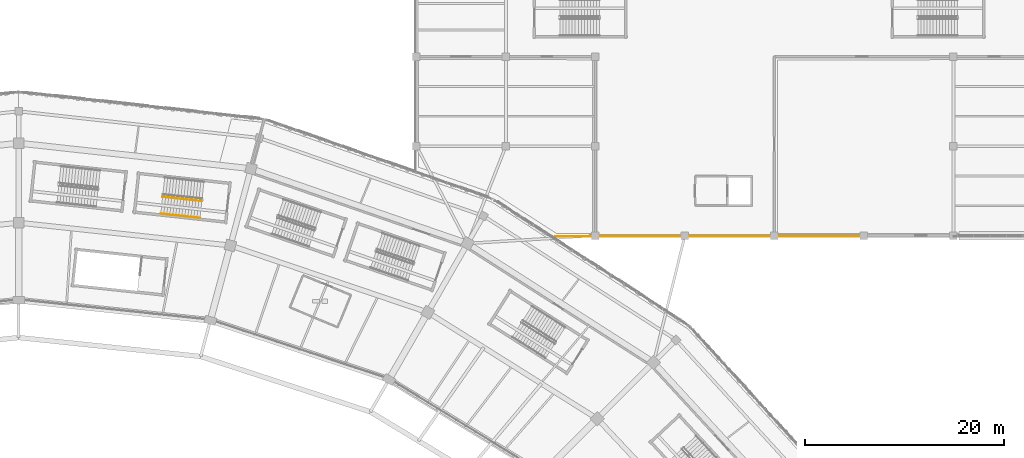
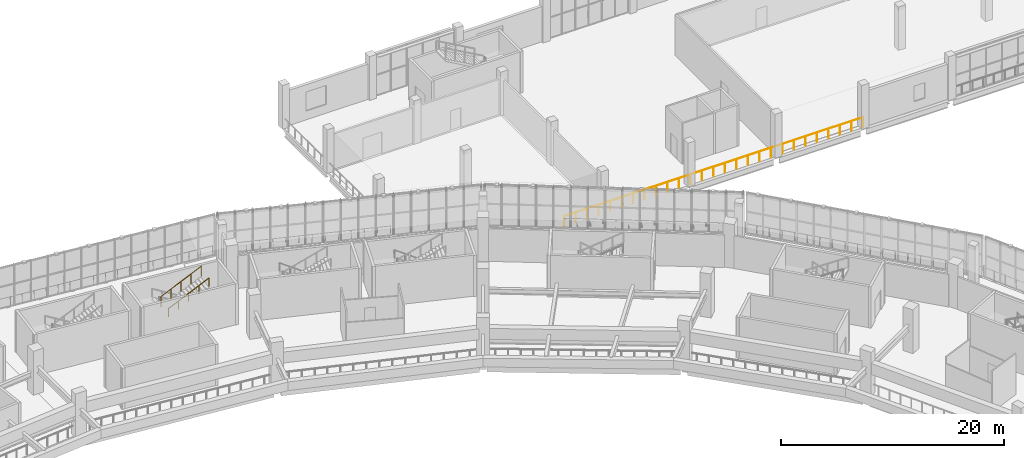
# One storey, part 174 of 179: 3 railings.
"""IFC4 building model written with IfcOpenShell, lengths in metres."""

from ifc_helpers import new_model, si_unit, direction, frame, origin, origin_2d, place, context, subcontext, project, spatial, circle, extrude, material, type_object, element, save


model = new_model("IFC4")

# Units and contexts
model_context = context("Model", 3, precision=1e-05, world=origin(), true_north=direction((0.0, 1.0)))
body_context = subcontext(model_context, "Body", "Model", "MODEL_VIEW")
ifc_project = project(units=[si_unit("LENGTHUNIT", "METRE"), si_unit("AREAUNIT", "SQUARE_METRE"), si_unit("VOLUMEUNIT", "CUBIC_METRE"), si_unit("PLANEANGLEUNIT", "RADIAN"), si_unit("MASSUNIT", "GRAM", prefix="KILO")], contexts=[model_context])

# Site, building, storey
site_placement = place(None, origin())
site = spatial("IfcSite", under=ifc_project, at=site_placement, CompositionType="ELEMENT")
building_placement = place(site_placement, origin())
building = spatial("IfcBuilding", under=site, at=building_placement, Name="Zevraka Park Crest Stadium", CompositionType="ELEMENT")
storey_placement = place(building_placement, frame((0.0, 0.0, 10.199951171875)))
storey = spatial("IfcBuildingStorey", under=building, at=storey_placement, Name="L02", CompositionType="ELEMENT", Elevation=10.199951171875)

# Railings
ifc_material_1 = material(Name="Galvanised and bronze-finished steel balustrade", Category="steel")
railing_type_1 = type_object("IfcRailingType", Name="GR01", PredefinedType="GUARDRAIL", material=ifc_material_1)
railing_1_placement = place(storey_placement, frame((196.93408203125, 157.89501953125, 0.0)))
element("IfcRailing", 1, at=railing_1_placement, inside=storey, type_object=railing_type_1, Name="Deck Edge Protection Guardrail GR01 L02-17", PredefinedType="GUARDRAIL", context=body_context, shape_type="SweptSolid", body=[
    extrude(circle(Radius=0.02392578125, at=origin_2d()), frame((0.0, 0.0, 1.076171875), z_axis=(-1.0, 0.0, 0.0), x_axis=(0.0, -1.0, 0.0)), (0.0, 0.0, 1.0), 30.967041015625),
    extrude(circle(Radius=0.02099609375, at=origin_2d()), origin(), (0.0, 0.0, 1.0), 1.052001953125),
    extrude(circle(Radius=0.02099609375, at=origin_2d()), frame((-1.19091796875, 0.0, 0.0)), (0.0, 0.0, 1.0), 1.052001953125),
    extrude(circle(Radius=0.02099609375, at=origin_2d()), frame((-2.382080078125, 0.0, 0.0)), (0.0, 0.0, 1.0), 1.052001953125),
    extrude(circle(Radius=0.02099609375, at=origin_2d()), frame((-3.5732421875, 0.0, 0.0)), (0.0, 0.0, 1.0), 1.052001953125),
    extrude(circle(Radius=0.02099609375, at=origin_2d()), frame((-4.76416015625, 0.0, 0.0)), (0.0, 0.0, 1.0), 1.052001953125),
    extrude(circle(Radius=0.02099609375, at=origin_2d()), frame((-5.955078125, 0.0, 0.0)), (0.0, 0.0, 1.0), 1.052001953125),
    extrude(circle(Radius=0.02099609375, at=origin_2d()), frame((-7.146240234375, 0.0, 0.0)), (0.0, 0.0, 1.0), 1.052001953125),
    extrude(circle(Radius=0.02099609375, at=origin_2d()), frame((-8.33740234375, 0.0, 0.0)), (0.0, 0.0, 1.0), 1.052001953125),
    extrude(circle(Radius=0.02099609375, at=origin_2d()), frame((-9.5283203125, 0.0, 0.0)), (0.0, 0.0, 1.0), 1.052001953125),
    extrude(circle(Radius=0.02099609375, at=origin_2d()), frame((-10.71923828125, 0.0, 0.0)), (0.0, 0.0, 1.0), 1.052001953125),
    extrude(circle(Radius=0.02099609375, at=origin_2d()), frame((-11.910400390625, 0.0, 0.0)), (0.0, 0.0, 1.0), 1.052001953125),
    extrude(circle(Radius=0.02099609375, at=origin_2d()), frame((-13.1015625, 0.0, 0.0)), (0.0, 0.0, 1.0), 1.052001953125),
    extrude(circle(Radius=0.02099609375, at=origin_2d()), frame((-14.29248046875, 0.0, 0.0)), (0.0, 0.0, 1.0), 1.052001953125),
    extrude(circle(Radius=0.02099609375, at=origin_2d()), frame((-15.4833984375, 0.0, 0.0)), (0.0, 0.0, 1.0), 1.052001953125),
    extrude(circle(Radius=0.02099609375, at=origin_2d()), frame((-16.674560546875, 0.0, 0.0)), (0.0, 0.0, 1.0), 1.052001953125),
    extrude(circle(Radius=0.02099609375, at=origin_2d()), frame((-17.86572265625, 0.0, 0.0)), (0.0, 0.0, 1.0), 1.052001953125),
    extrude(circle(Radius=0.02099609375, at=origin_2d()), frame((-19.056640625, 0.0, 0.0)), (0.0, 0.0, 1.0), 1.052001953125),
    extrude(circle(Radius=0.02099609375, at=origin_2d()), frame((-20.24755859375, 0.0, 0.0)), (0.0, 0.0, 1.0), 1.052001953125),
    extrude(circle(Radius=0.02099609375, at=origin_2d()), frame((-21.438720703125, 0.0, 0.0)), (0.0, 0.0, 1.0), 1.052001953125),
    extrude(circle(Radius=0.02099609375, at=origin_2d()), frame((-22.6298828125, 0.0, 0.0)), (0.0, 0.0, 1.0), 1.052001953125),
    extrude(circle(Radius=0.02099609375, at=origin_2d()), frame((-23.82080078125, 0.0, 0.0)), (0.0, 0.0, 1.0), 1.052001953125),
    extrude(circle(Radius=0.02099609375, at=origin_2d()), frame((-25.01171875, 0.0, 0.0)), (0.0, 0.0, 1.0), 1.052001953125),
    extrude(circle(Radius=0.02099609375, at=origin_2d()), frame((-26.202880859375, 0.0, 0.0)), (0.0, 0.0, 1.0), 1.052001953125),
    extrude(circle(Radius=0.02099609375, at=origin_2d()), frame((-27.39404296875, 0.0, 0.0)), (0.0, 0.0, 1.0), 1.052001953125),
    extrude(circle(Radius=0.02099609375, at=origin_2d()), frame((-28.5849609375, 0.0, 0.0)), (0.0, 0.0, 1.0), 1.052001953125),
    extrude(circle(Radius=0.02099609375, at=origin_2d()), frame((-29.77587890625, 0.0, 0.0)), (0.0, 0.0, 1.0), 1.052001953125),
    extrude(circle(Radius=0.02099609375, at=origin_2d()), frame((-30.967041015625, 0.0, 0.0)), (0.0, 0.0, 1.0), 1.052001953125),
])
ifc_material_2 = material(Name="Powder-coated tubular steel stairwell guard", Category="steel")
railing_type_2 = type_object("IfcRailingType", Name="GR03", PredefinedType="GUARDRAIL", material=ifc_material_2)
railing_2_placement = place(storey_placement, frame((126.4833984375, 161.892333984375, 2.571533203125)))
element("IfcRailing", 2, at=railing_2_placement, inside=storey, type_object=railing_type_2, Name="L02 ST06 stair guard 3", PredefinedType="GUARDRAIL", context=body_context, shape_type="SweptSolid", body=[
    extrude(circle(Radius=0.02392578125, at=origin_2d()), frame((0.0, 0.0, 1.076171875), z_axis=(0.866623529368, -0.094311399263, 0.489968385015), x_axis=(0.10818750693, 0.994130506193, 0.0)), (0.0, 0.0, 1.0), 4.54833984375),
    extrude(circle(Radius=0.02099609375, at=origin_2d()), origin(), (0.0, 0.0, 1.0), 1.052001953125),
    extrude(circle(Radius=0.02099609375, at=origin_2d()), frame((0.9853515625, -0.107177734375, 0.55712890625)), (0.0, 0.0, 1.0), 1.052001953125),
    extrude(circle(Radius=0.02099609375, at=origin_2d()), frame((1.970703125, -0.21435546875, 1.1142578125)), (0.0, 0.0, 1.0), 1.052001953125),
    extrude(circle(Radius=0.02099609375, at=origin_2d()), frame((2.956298828125, -0.32177734375, 1.67138671875)), (0.0, 0.0, 1.0), 1.052001953125),
    extrude(circle(Radius=0.02099609375, at=origin_2d()), frame((3.941650390625, -0.428955078125, 2.228515625)), (0.0, 0.0, 1.0), 1.052001953125),
])
ifc_material_3 = material(Name="Brushed stainless steel continuous handrail", Category="steel")
railing_type_3 = type_object("IfcRailingType", Name="HR01", PredefinedType="HANDRAIL", material=ifc_material_3)
railing_3_placement = place(storey_placement, frame((126.299560546875, 160.202392578125, 2.571533203125)))
element("IfcRailing", 3, at=railing_3_placement, inside=storey, type_object=railing_type_3, Name="L02 ST06 stair handrail 2", PredefinedType="HANDRAIL", context=body_context, shape_type="SweptSolid", body=[
    extrude(circle(Radius=0.02392578125, at=origin_2d()), frame((0.0, 0.0, 0.8759765625), z_axis=(0.866623529368, -0.094311399263, 0.489968385015), x_axis=(0.10818750693, 0.994130506193, 0.0)), (0.0, 0.0, 1.0), 4.54833984375),
    extrude(circle(Radius=0.02099609375, at=origin_2d()), origin(), (0.0, 0.0, 1.0), 0.851806640625),
    extrude(circle(Radius=0.02099609375, at=origin_2d()), frame((0.9853515625, -0.107177734375, 0.55712890625)), (0.0, 0.0, 1.0), 0.851806640625),
    extrude(circle(Radius=0.02099609375, at=origin_2d()), frame((1.970703125, -0.21435546875, 1.1142578125)), (0.0, 0.0, 1.0), 0.851806640625),
    extrude(circle(Radius=0.02099609375, at=origin_2d()), frame((2.956298828125, -0.32177734375, 1.67138671875)), (0.0, 0.0, 1.0), 0.851806640625),
    extrude(circle(Radius=0.02099609375, at=origin_2d()), frame((3.941650390625, -0.428955078125, 2.228515625)), (0.0, 0.0, 1.0), 0.851806640625),
])

save(model, "model.ifc")
